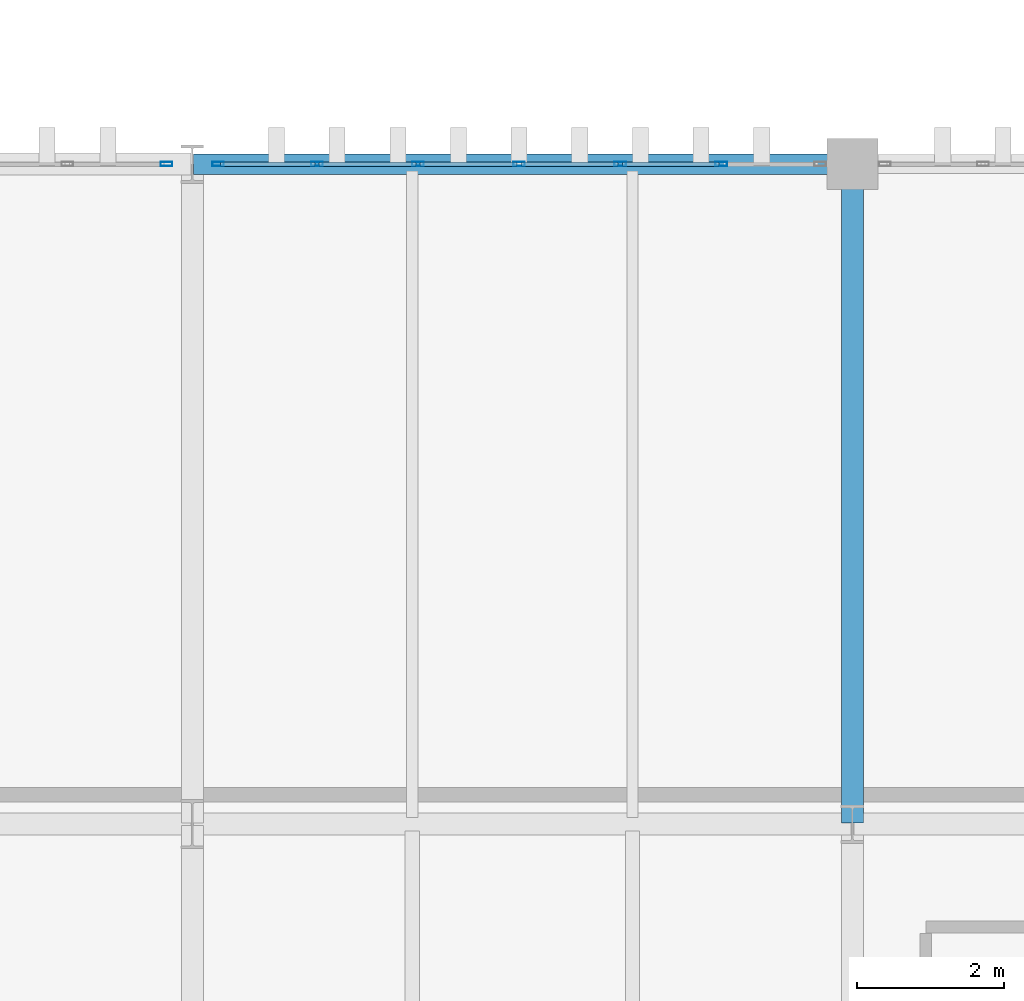
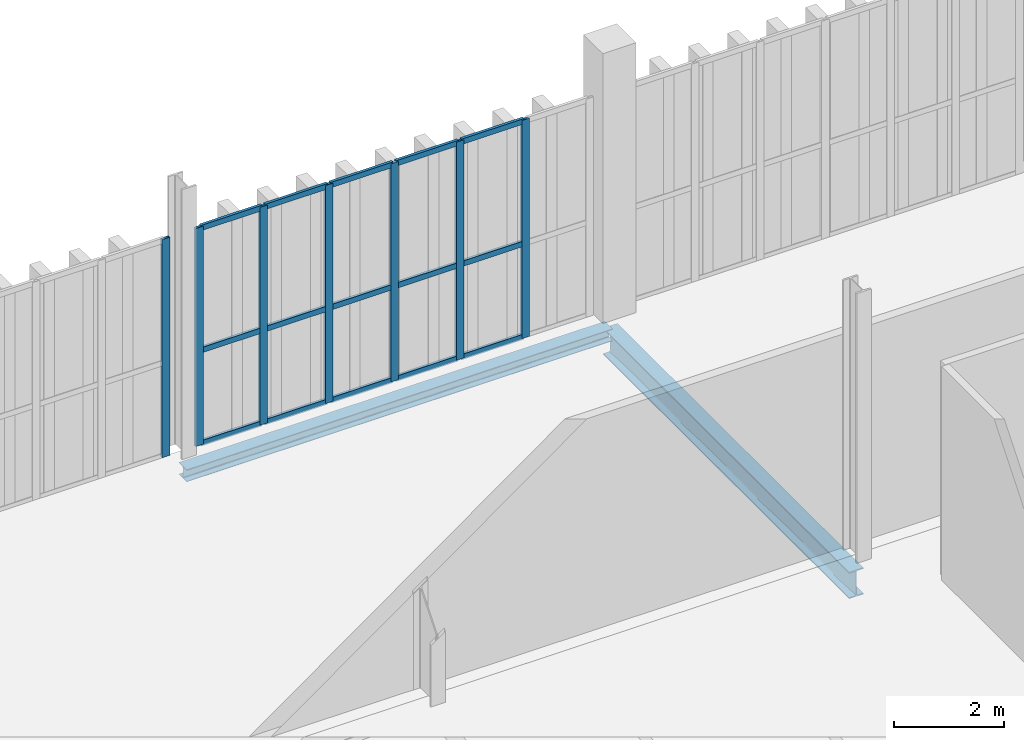
# One storey, part 123 of 237: 22 members, 2 beams, 2 elements without a shape of their own.
"""IFC4 building model written with IfcOpenShell, lengths in metres."""

from ifc_helpers import new_model, si_unit, direction, frame, origin, origin_2d, place, context, subcontext, project, spatial, hollow_rectangle, i_section, extrude, material, layer, layer_set, material_profile, profile_set, type_object, element, aggregate, save


model = new_model("IFC4")

# Units and contexts
model_context = context("Model", 3, precision=1e-05, world=origin(), true_north=direction((0.0, 1.0)))
body_context = subcontext(model_context, "Body", "Model", "MODEL_VIEW")
ifc_project = project(units=[si_unit("LENGTHUNIT", "METRE"), si_unit("AREAUNIT", "SQUARE_METRE"), si_unit("VOLUMEUNIT", "CUBIC_METRE"), si_unit("PLANEANGLEUNIT", "RADIAN"), si_unit("MASSUNIT", "GRAM", prefix="KILO")], contexts=[model_context])

# Site, building, storey
site_placement = place(None, origin())
site = spatial("IfcSite", under=ifc_project, at=site_placement, CompositionType="ELEMENT")
building_placement = place(site_placement, origin())
building = spatial("IfcBuilding", under=site, at=building_placement, Name="Barlavento Convention Centre", CompositionType="ELEMENT")
storey_placement = place(building_placement, frame((0.0, 0.0, 12.0)))
storey = spatial("IfcBuildingStorey", under=building, at=storey_placement, Name="L02", CompositionType="ELEMENT", Elevation=12.0)

# Curtain wall, member
ifc_material_1 = material(Name="Powder-coated aluminium and Low-E glass", Category="aluminium")
ifc_layer = layer(ifc_material_1, 0.195068359375)
ifc_layer_set = layer_set([ifc_layer], Name="ARC-CW-PATIO-A")
curtain_wall_type = type_object("IfcCurtainWallType", Name="ARC-CW-PATIO-A", PredefinedType="NOTDEFINED", material=ifc_layer_set)
curtain_wall_1_placement = place(storey_placement, origin())
curtain_wall_1 = element("IfcCurtainWall", 1, at=curtain_wall_1_placement, inside=storey, type_object=curtain_wall_type, Name="L02 unitised curtain wall CW11", PredefinedType="NOTDEFINED")
ifc_material_2 = material(Name="Powder-coated aluminium", Category="aluminium")
ifc_material_profile_1 = material_profile(ifc_material_2, hollow_rectangle(XDim=0.06005859375, YDim=0.159912109375, WallThickness=0.00390625, at=origin_2d()), Name="AL-MULL 60x160x4")
ifc_profile_set_1 = profile_set([ifc_material_profile_1], Name="Powder-coated aluminium")
member_type_1 = type_object("IfcMemberType", Name="ARC-CWM-60X160", PredefinedType="MULLION", material=ifc_profile_set_1)
member_1_placement = place(storey_placement, frame((143.64794921875, 63.0, 0.0), z_axis=(0.0, 0.0, 1.0), x_axis=(0.0, 1.0, 0.0)))
member_1 = element("IfcMember", 2, at=member_1_placement, type_object=member_type_1, Name="CW11 mullion 7", PredefinedType="MULLION", context=body_context, shape_type="SweptSolid", body=[
    extrude(hollow_rectangle(XDim=0.06005859375, YDim=0.159912109375, WallThickness=0.00390625, at=origin_2d()), origin(), (0.0, 0.0, 1.0), 4.85009765625),
])
aggregate(curtain_wall_1, [member_1])

# Curtain wall, members
curtain_wall_2_placement = place(storey_placement, origin())
curtain_wall_2 = element("IfcCurtainWall", 3, at=curtain_wall_2_placement, inside=storey, type_object=curtain_wall_type, Name="L02 unitised curtain wall CW11", PredefinedType="NOTDEFINED")
member_2_placement = place(storey_placement, frame((144.35205078125, 63.0, 0.0), z_axis=(0.0, 0.0, 1.0), x_axis=(0.0, 1.0, 0.0)))
member_2 = element("IfcMember", 4, at=member_2_placement, type_object=member_type_1, Name="CW11 mullion 1", PredefinedType="MULLION", context=body_context, shape_type="SweptSolid", body=[
    extrude(hollow_rectangle(XDim=0.06005859375, YDim=0.159912109375, WallThickness=0.00390625, at=origin_2d()), origin(), (0.0, 0.0, 1.0), 4.85009765625),
])
member_3_placement = place(storey_placement, frame((145.699951171875, 63.0, 0.0), z_axis=(0.0, 0.0, 1.0), x_axis=(0.0, 1.0, 0.0)))
member_3 = element("IfcMember", 5, at=member_3_placement, type_object=member_type_1, Name="CW11 mullion 2", PredefinedType="MULLION", context=body_context, shape_type="SweptSolid", body=[
    extrude(hollow_rectangle(XDim=0.06005859375, YDim=0.159912109375, WallThickness=0.00390625, at=origin_2d()), origin(), (0.0, 0.0, 1.0), 4.85009765625),
])
member_4_placement = place(storey_placement, frame((147.077880859375, 63.0, 0.0), z_axis=(0.0, 0.0, 1.0), x_axis=(0.0, 1.0, 0.0)))
member_4 = element("IfcMember", 6, at=member_4_placement, type_object=member_type_1, Name="CW11 mullion 3", PredefinedType="MULLION", context=body_context, shape_type="SweptSolid", body=[
    extrude(hollow_rectangle(XDim=0.06005859375, YDim=0.159912109375, WallThickness=0.00390625, at=origin_2d()), origin(), (0.0, 0.0, 1.0), 4.85009765625),
])
member_5_placement = place(storey_placement, frame((148.4560546875, 63.0, 0.0), z_axis=(0.0, 0.0, 1.0), x_axis=(0.0, 1.0, 0.0)))
member_5 = element("IfcMember", 7, at=member_5_placement, type_object=member_type_1, Name="CW11 mullion 4", PredefinedType="MULLION", context=body_context, shape_type="SweptSolid", body=[
    extrude(hollow_rectangle(XDim=0.06005859375, YDim=0.159912109375, WallThickness=0.00390625, at=origin_2d()), origin(), (0.0, 0.0, 1.0), 4.85009765625),
])
member_6_placement = place(storey_placement, frame((149.833984375, 63.0, 0.0), z_axis=(0.0, 0.0, 1.0), x_axis=(0.0, 1.0, 0.0)))
member_6 = element("IfcMember", 8, at=member_6_placement, type_object=member_type_1, Name="CW11 mullion 5", PredefinedType="MULLION", context=body_context, shape_type="SweptSolid", body=[
    extrude(hollow_rectangle(XDim=0.06005859375, YDim=0.159912109375, WallThickness=0.00390625, at=origin_2d()), origin(), (0.0, 0.0, 1.0), 4.85009765625),
])
member_7_placement = place(storey_placement, frame((151.2119140625, 63.0, 0.0), z_axis=(0.0, 0.0, 1.0), x_axis=(0.0, 1.0, 0.0)))
member_7 = element("IfcMember", 9, at=member_7_placement, type_object=member_type_1, Name="CW11 mullion 6", PredefinedType="MULLION", context=body_context, shape_type="SweptSolid", body=[
    extrude(hollow_rectangle(XDim=0.06005859375, YDim=0.159912109375, WallThickness=0.00390625, at=origin_2d()), origin(), (0.0, 0.0, 1.0), 4.85009765625),
])
ifc_material_profile_2 = material_profile(ifc_material_2, hollow_rectangle(XDim=0.06005859375, YDim=0.1201171875, WallThickness=0.00390625, at=origin_2d()), Name="AL-TRAN 60x120x4")
ifc_profile_set_2 = profile_set([ifc_material_profile_2], Name="Powder-coated aluminium")
member_type_2 = type_object("IfcMemberType", Name="ARC-CWT-60X120", PredefinedType="USERDEFINED", material=ifc_profile_set_2)
member_8_placement = place(storey_placement, frame((144.382080078125, 63.0, 0.030029296875), z_axis=(1.0, 0.0, 0.0), x_axis=(0.0, 1.0, 0.0)))
member_8 = element("IfcMember", 10, at=member_8_placement, type_object=member_type_2, Name="CW11 transom 1.1", ObjectType="TRANSOM", PredefinedType="USERDEFINED", context=body_context, shape_type="SweptSolid", body=[
    extrude(hollow_rectangle(XDim=0.06005859375, YDim=0.1201171875, WallThickness=0.00390625, at=origin_2d()), origin(), (0.0, 0.0, 1.0), 1.287841796875),
])
member_9_placement = place(storey_placement, frame((144.382080078125, 63.0, 2.10009765625), z_axis=(1.0, 0.0, 0.0), x_axis=(0.0, 1.0, 0.0)))
member_9 = element("IfcMember", 11, at=member_9_placement, type_object=member_type_2, Name="CW11 transom 1.2", ObjectType="TRANSOM", PredefinedType="USERDEFINED", context=body_context, shape_type="SweptSolid", body=[
    extrude(hollow_rectangle(XDim=0.06005859375, YDim=0.1201171875, WallThickness=0.00390625, at=origin_2d()), origin(), (0.0, 0.0, 1.0), 1.287841796875),
])
member_10_placement = place(storey_placement, frame((144.382080078125, 63.0, 4.820068359375), z_axis=(1.0, 0.0, 0.0), x_axis=(0.0, 1.0, 0.0)))
member_10 = element("IfcMember", 12, at=member_10_placement, type_object=member_type_2, Name="CW11 transom 1.3", ObjectType="TRANSOM", PredefinedType="USERDEFINED", context=body_context, shape_type="SweptSolid", body=[
    extrude(hollow_rectangle(XDim=0.06005859375, YDim=0.1201171875, WallThickness=0.00390625, at=origin_2d()), origin(), (0.0, 0.0, 1.0), 1.287841796875),
])
member_11_placement = place(storey_placement, frame((145.72998046875, 63.0, 0.030029296875), z_axis=(1.0, 0.0, 0.0), x_axis=(0.0, 1.0, 0.0)))
member_11 = element("IfcMember", 13, at=member_11_placement, type_object=member_type_2, Name="CW11 transom 2.1", ObjectType="TRANSOM", PredefinedType="USERDEFINED", context=body_context, shape_type="SweptSolid", body=[
    extrude(hollow_rectangle(XDim=0.06005859375, YDim=0.1201171875, WallThickness=0.00390625, at=origin_2d()), origin(), (0.0, 0.0, 1.0), 1.318115234375),
])
member_12_placement = place(storey_placement, frame((145.72998046875, 63.0, 2.10009765625), z_axis=(1.0, 0.0, 0.0), x_axis=(0.0, 1.0, 0.0)))
member_12 = element("IfcMember", 14, at=member_12_placement, type_object=member_type_2, Name="CW11 transom 2.2", ObjectType="TRANSOM", PredefinedType="USERDEFINED", context=body_context, shape_type="SweptSolid", body=[
    extrude(hollow_rectangle(XDim=0.06005859375, YDim=0.1201171875, WallThickness=0.00390625, at=origin_2d()), origin(), (0.0, 0.0, 1.0), 1.318115234375),
])
member_13_placement = place(storey_placement, frame((145.72998046875, 63.0, 4.820068359375), z_axis=(1.0, 0.0, 0.0), x_axis=(0.0, 1.0, 0.0)))
member_13 = element("IfcMember", 15, at=member_13_placement, type_object=member_type_2, Name="CW11 transom 2.3", ObjectType="TRANSOM", PredefinedType="USERDEFINED", context=body_context, shape_type="SweptSolid", body=[
    extrude(hollow_rectangle(XDim=0.06005859375, YDim=0.1201171875, WallThickness=0.00390625, at=origin_2d()), origin(), (0.0, 0.0, 1.0), 1.318115234375),
])
member_14_placement = place(storey_placement, frame((147.10791015625, 63.0, 0.030029296875), z_axis=(1.0, 0.0, 0.0), x_axis=(0.0, 1.0, 0.0)))
member_14 = element("IfcMember", 16, at=member_14_placement, type_object=member_type_2, Name="CW11 transom 3.1", ObjectType="TRANSOM", PredefinedType="USERDEFINED", context=body_context, shape_type="SweptSolid", body=[
    extrude(hollow_rectangle(XDim=0.06005859375, YDim=0.1201171875, WallThickness=0.00390625, at=origin_2d()), origin(), (0.0, 0.0, 1.0), 1.318115234375),
])
member_15_placement = place(storey_placement, frame((147.10791015625, 63.0, 2.10009765625), z_axis=(1.0, 0.0, 0.0), x_axis=(0.0, 1.0, 0.0)))
member_15 = element("IfcMember", 17, at=member_15_placement, type_object=member_type_2, Name="CW11 transom 3.2", ObjectType="TRANSOM", PredefinedType="USERDEFINED", context=body_context, shape_type="SweptSolid", body=[
    extrude(hollow_rectangle(XDim=0.06005859375, YDim=0.1201171875, WallThickness=0.00390625, at=origin_2d()), origin(), (0.0, 0.0, 1.0), 1.318115234375),
])
member_16_placement = place(storey_placement, frame((147.10791015625, 63.0, 4.820068359375), z_axis=(1.0, 0.0, 0.0), x_axis=(0.0, 1.0, 0.0)))
member_16 = element("IfcMember", 18, at=member_16_placement, type_object=member_type_2, Name="CW11 transom 3.3", ObjectType="TRANSOM", PredefinedType="USERDEFINED", context=body_context, shape_type="SweptSolid", body=[
    extrude(hollow_rectangle(XDim=0.06005859375, YDim=0.1201171875, WallThickness=0.00390625, at=origin_2d()), origin(), (0.0, 0.0, 1.0), 1.318115234375),
])
member_17_placement = place(storey_placement, frame((148.486083984375, 63.0, 0.030029296875), z_axis=(1.0, 0.0, 0.0), x_axis=(0.0, 1.0, 0.0)))
member_17 = element("IfcMember", 19, at=member_17_placement, type_object=member_type_2, Name="CW11 transom 4.1", ObjectType="TRANSOM", PredefinedType="USERDEFINED", context=body_context, shape_type="SweptSolid", body=[
    extrude(hollow_rectangle(XDim=0.06005859375, YDim=0.1201171875, WallThickness=0.00390625, at=origin_2d()), origin(), (0.0, 0.0, 1.0), 1.31787109375),
])
member_18_placement = place(storey_placement, frame((148.486083984375, 63.0, 2.10009765625), z_axis=(1.0, 0.0, 0.0), x_axis=(0.0, 1.0, 0.0)))
member_18 = element("IfcMember", 20, at=member_18_placement, type_object=member_type_2, Name="CW11 transom 4.2", ObjectType="TRANSOM", PredefinedType="USERDEFINED", context=body_context, shape_type="SweptSolid", body=[
    extrude(hollow_rectangle(XDim=0.06005859375, YDim=0.1201171875, WallThickness=0.00390625, at=origin_2d()), origin(), (0.0, 0.0, 1.0), 1.31787109375),
])
member_19_placement = place(storey_placement, frame((148.486083984375, 63.0, 4.820068359375), z_axis=(1.0, 0.0, 0.0), x_axis=(0.0, 1.0, 0.0)))
member_19 = element("IfcMember", 21, at=member_19_placement, type_object=member_type_2, Name="CW11 transom 4.3", ObjectType="TRANSOM", PredefinedType="USERDEFINED", context=body_context, shape_type="SweptSolid", body=[
    extrude(hollow_rectangle(XDim=0.06005859375, YDim=0.1201171875, WallThickness=0.00390625, at=origin_2d()), origin(), (0.0, 0.0, 1.0), 1.31787109375),
])
member_20_placement = place(storey_placement, frame((149.864013671875, 63.0, 0.030029296875), z_axis=(1.0, 0.0, 0.0), x_axis=(0.0, 1.0, 0.0)))
member_20 = element("IfcMember", 22, at=member_20_placement, type_object=member_type_2, Name="CW11 transom 5.1", ObjectType="TRANSOM", PredefinedType="USERDEFINED", context=body_context, shape_type="SweptSolid", body=[
    extrude(hollow_rectangle(XDim=0.06005859375, YDim=0.1201171875, WallThickness=0.00390625, at=origin_2d()), origin(), (0.0, 0.0, 1.0), 1.31787109375),
])
member_21_placement = place(storey_placement, frame((149.864013671875, 63.0, 2.10009765625), z_axis=(1.0, 0.0, 0.0), x_axis=(0.0, 1.0, 0.0)))
member_21 = element("IfcMember", 23, at=member_21_placement, type_object=member_type_2, Name="CW11 transom 5.2", ObjectType="TRANSOM", PredefinedType="USERDEFINED", context=body_context, shape_type="SweptSolid", body=[
    extrude(hollow_rectangle(XDim=0.06005859375, YDim=0.1201171875, WallThickness=0.00390625, at=origin_2d()), origin(), (0.0, 0.0, 1.0), 1.31787109375),
])
member_22_placement = place(storey_placement, frame((149.864013671875, 63.0, 4.820068359375), z_axis=(1.0, 0.0, 0.0), x_axis=(0.0, 1.0, 0.0)))
member_22 = element("IfcMember", 24, at=member_22_placement, type_object=member_type_2, Name="CW11 transom 5.3", ObjectType="TRANSOM", PredefinedType="USERDEFINED", context=body_context, shape_type="SweptSolid", body=[
    extrude(hollow_rectangle(XDim=0.06005859375, YDim=0.1201171875, WallThickness=0.00390625, at=origin_2d()), origin(), (0.0, 0.0, 1.0), 1.31787109375),
])
aggregate(curtain_wall_2, [member_2, member_3, member_4, member_5, member_6, member_7, member_8, member_9, member_10, member_11, member_12, member_13, member_14, member_15, member_16, member_17, member_18, member_19, member_20, member_21, member_22])

# Beams
ifc_material_3 = material(Name="Steel S355", Category="steel")
ifc_material_profile_3 = material_profile(ifc_material_3, i_section(OverallWidth=0.300048828125, OverallDepth=0.590087890625, WebThickness=0.012939453125, FlangeThickness=0.02490234375, FilletRadius=0.027099609375, at=origin_2d()), Name="HEA 600")
ifc_profile_set_3 = profile_set([ifc_material_profile_3], Name="Steel S355")
beam_type_1 = type_object("IfcBeamType", Name="STR-BM-PRI-HEA600", PredefinedType="BEAM", material=ifc_profile_set_3)
beam_1_placement = place(storey_placement, frame((153.0, 54.02001953125, -0.6650390625), z_axis=(0.0, 1.0, 0.0), x_axis=(-1.0, 0.0, 0.0)))
element("IfcBeam", 25, at=beam_1_placement, inside=storey, type_object=beam_type_1, Name="L02 grid girder BG18", PredefinedType="BEAM", context=body_context, shape_type="SweptSolid", body=[
    extrude(i_section(OverallWidth=0.300048828125, OverallDepth=0.590087890625, WebThickness=0.012939453125, FlangeThickness=0.02490234375, FilletRadius=0.027099609375, at=origin_2d()), origin(), (0.0, 0.0, 1.0), 8.9599609375),
])
ifc_material_profile_4 = material_profile(ifc_material_3, i_section(OverallWidth=0.280029296875, OverallDepth=0.27001953125, WebThickness=0.008056640625, FlangeThickness=0.012939453125, FilletRadius=0.02392578125, at=origin_2d()), Name="HEA 280")
ifc_profile_set_4 = profile_set([ifc_material_profile_4], Name="Steel S355")
beam_type_2 = type_object("IfcBeamType", Name="STR-BM-SPN-HEA280", PredefinedType="SPANDREL", material=ifc_profile_set_4)
beam_2_placement = place(storey_placement, frame((144.02001953125, 63.0, -0.4951171875), z_axis=(1.0, 0.0, 0.0), x_axis=(0.0, 1.0, 0.0)))
element("IfcBeam", 26, at=beam_2_placement, inside=storey, type_object=beam_type_2, Name="L02 primary girder SP03", PredefinedType="SPANDREL", context=body_context, shape_type="SweptSolid", body=[
    extrude(i_section(OverallWidth=0.280029296875, OverallDepth=0.27001953125, WebThickness=0.008056640625, FlangeThickness=0.012939453125, FilletRadius=0.02392578125, at=origin_2d()), origin(), (0.0, 0.0, 1.0), 8.9599609375),
])

save(model, "model.ifc")
